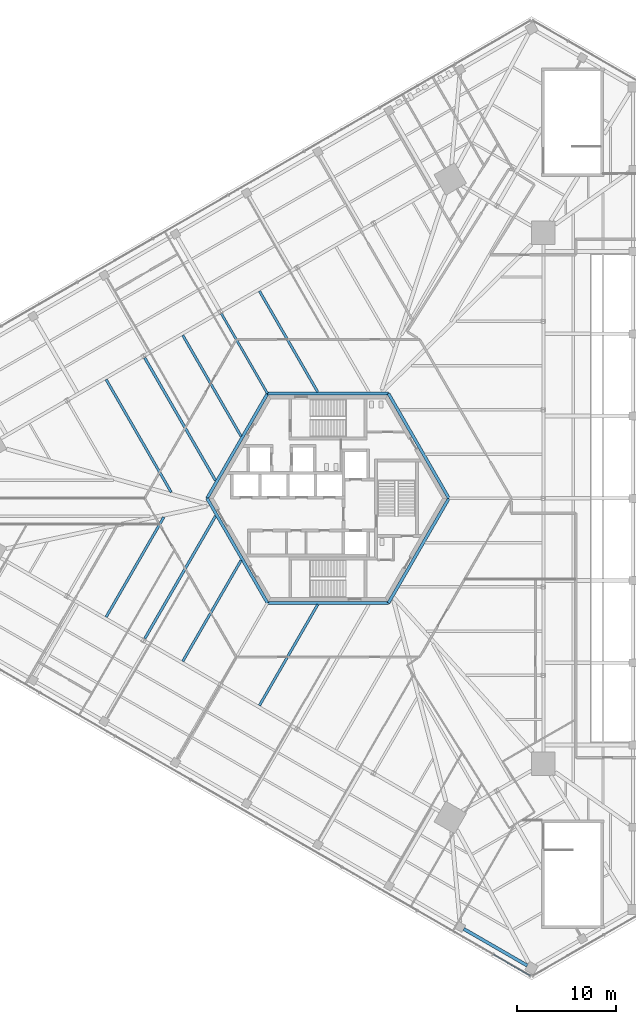
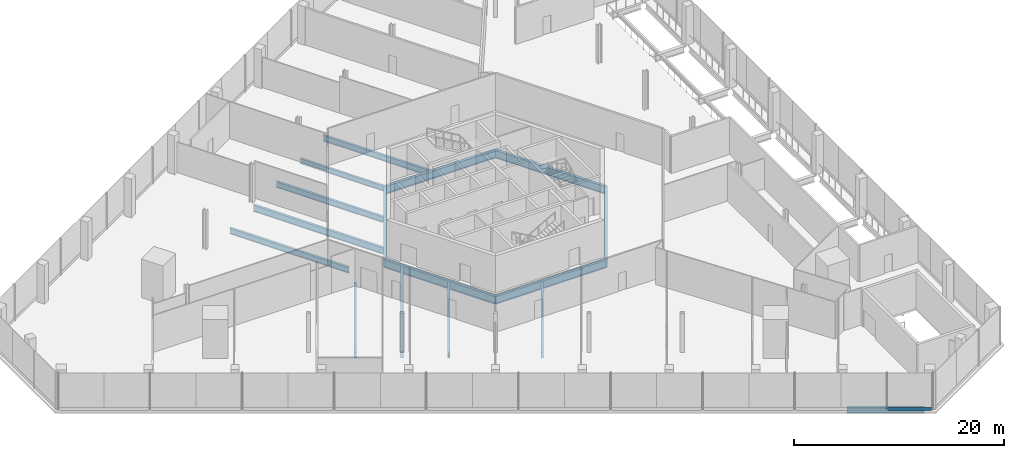
# One storey, part 9 of 25: 16 beams, 1 member, 1 element without a shape of its own.
"""IFC4 building model written with IfcOpenShell, lengths in metres."""

from ifc_helpers import new_model, si_unit, direction, frame, origin, origin_2d, place, context, subcontext, project, spatial, rectangle, i_section, extrude, source, transform, mapped, material, material_profile, profile_set, type_object, element, aggregate, save


model = new_model("IFC4")

# Units and contexts
model_context = context("Model", 3, precision=1e-05, world=origin(), true_north=direction((0.0, 1.0)))
body_context = subcontext(model_context, "Body", "Model", "MODEL_VIEW")
ifc_project = project(units=[si_unit("LENGTHUNIT", "METRE"), si_unit("AREAUNIT", "SQUARE_METRE"), si_unit("VOLUMEUNIT", "CUBIC_METRE"), si_unit("PLANEANGLEUNIT", "RADIAN"), si_unit("MASSUNIT", "GRAM", prefix="KILO")], contexts=[model_context])

# Site, building, storey
site_placement = place(None, origin())
site = spatial("IfcSite", under=ifc_project, at=site_placement, CompositionType="ELEMENT")
building_placement = place(site_placement, origin())
building = spatial("IfcBuilding", under=site, at=building_placement, Name="Triune Harvest Tower", CompositionType="ELEMENT")
storey_placement = place(building_placement, frame((0.0, 0.0, 11.5)))
storey = spatial("IfcBuildingStorey", under=building, at=storey_placement, Name="L02", CompositionType="ELEMENT", Elevation=11.5)

# Beams
ifc_material_1 = material(Name="Steel ASTM A992 Gr 50", Category="steel")
ifc_material_profile_1 = material_profile(ifc_material_1, i_section(OverallWidth=0.3046875, OverallDepth=0.914306640625, WebThickness=0.0166015625, FlangeThickness=0.02587890625, at=origin_2d()), Name="W36x160")
ifc_profile_set_1 = profile_set([ifc_material_profile_1], Name="Steel ASTM A992 Gr 50")
beam_type_1 = type_object("IfcBeamType", Name="CG-1 Core ring girder W36x160", PredefinedType="BEAM", material=ifc_profile_set_1)
shared_shape_1 = source(origin(), body_context, "Body", "SweptSolid", [
    extrude(i_section(OverallWidth=0.3046875, OverallDepth=0.914306640625, WebThickness=0.0166015625, FlangeThickness=0.02587890625, at=origin_2d()), origin(), (0.0, 0.0, 1.0), 12.176025390625),
])
for number, where, z_axis, x_axis, name in (
    (1, (12.176025390625, 0.0, -0.6572265625), (-0.5000099932, 0.866019634131, 0.0), (-0.866019634131, -0.5000099932, 0.0), "beam/L02/CG1"),
    (2, (-6.087890625, 10.544677734375, -0.6572265625), (-0.5000099932, -0.866019634131, 0.0), (0.866019634131, -0.5000099932, 0.0), "beam/L02/CG3"),
    (3, (-12.176025390625, 0.0, -0.6572265625), (0.5000099932, -0.866019634131, 0.0), (0.866019634131, 0.5000099932, 0.0), "beam/L02/CG4"),
    (4, (6.087890625, -10.544677734375, -0.6572265625), (0.5000099932, 0.866019634131, 0.0), (-0.866019634131, 0.5000099932, 0.0), "beam/L02/CG6"),
):
    element("IfcBeam", number, at=place(storey_placement, frame(where, z_axis=z_axis, x_axis=x_axis)), inside=storey, type_object=beam_type_1, Name=name, PredefinedType="BEAM", context=body_context, shape_type="MappedRepresentation", body=[
        mapped(shared_shape_1, transform((0.0, 0.0, 0.0), scale=1.0)),
    ])
shared_shape_2 = source(origin(), body_context, "Body", "SweptSolid", [
    extrude(i_section(OverallWidth=0.3046875, OverallDepth=0.914306640625, WebThickness=0.0166015625, FlangeThickness=0.02587890625, at=origin_2d()), origin(), (0.0, 0.0, 1.0), 12.17578125),
])
for number, where, z_axis, x_axis, name in (
    (5, (6.087890625, 10.544677734375, -0.6572265625), (-1.0, 0.0, 0.0), (0.0, -1.0, 0.0), "beam/L02/CG2"),
    (6, (-6.087890625, -10.544677734375, -0.6572265625), (1.0, 0.0, 0.0), (0.0, 1.0, 0.0), "beam/L02/CG5"),
):
    element("IfcBeam", number, at=place(storey_placement, frame(where, z_axis=z_axis, x_axis=x_axis)), inside=storey, type_object=beam_type_1, Name=name, PredefinedType="BEAM", context=body_context, shape_type="MappedRepresentation", body=[
        mapped(shared_shape_2, transform((0.0, 0.0, 0.0), scale=1.0)),
    ])
ifc_material_2 = material(Name="Steel ASTM A992 Gr 50", Category="steel")
ifc_material_profile_2 = material_profile(ifc_material_2, i_section(OverallWidth=0.2666015625, OverallDepth=0.7568359375, WebThickness=0.013916015625, FlangeThickness=0.019287109375, at=origin_2d()), Name="W30x108")
ifc_profile_set_2 = profile_set([ifc_material_profile_2], Name="Steel ASTM A992 Gr 50")
beam_type_2 = type_object("IfcBeamType", Name="JT-5 Floor joist W30x108", PredefinedType="JOIST", material=ifc_profile_set_2)
shared_shape_3 = source(origin(), body_context, "Body", "SweptSolid", [
    extrude(i_section(OverallWidth=0.2666015625, OverallDepth=0.7568359375, WebThickness=0.013916015625, FlangeThickness=0.019287109375, at=origin_2d()), origin(), (0.0, 0.0, 1.0), 14.2685546875),
])
for number, where, z_axis, x_axis, name in (
    (7, (-18.454345703125, 14.14404296875, -0.57861328125), (0.499987083308, -0.866032861112, 0.0), (0.866032861112, 0.499987083308, 0.0), "beam/L02/JT21"),
    (8, (-18.454345703125, -14.14404296875, -0.57861328125), (0.499987083308, 0.866032861112, 0.0), (-0.866032861112, 0.499987083308, 0.0), "beam/L02/JT30"),
):
    element("IfcBeam", number, at=place(storey_placement, frame(where, z_axis=z_axis, x_axis=x_axis)), inside=storey, type_object=beam_type_2, Name=name, PredefinedType="JOIST", context=body_context, shape_type="MappedRepresentation", body=[
        mapped(shared_shape_3, transform((0.0, 0.0, 0.0), scale=1.0)),
    ])
ifc_material_3 = material(Name="Steel ASTM A992 Gr 50", Category="steel")
ifc_material_profile_3 = material_profile(ifc_material_3, i_section(OverallWidth=0.253662109375, OverallDepth=0.683349609375, WebThickness=0.012451171875, FlangeThickness=0.01904296875, at=origin_2d()), Name="W27x94")
ifc_profile_set_3 = profile_set([ifc_material_profile_3], Name="Steel ASTM A992 Gr 50")
beam_type_3 = type_object("IfcBeamType", Name="JT-4 Floor joist W27x94", PredefinedType="JOIST", material=ifc_profile_set_3)
shared_shape_4 = source(origin(), body_context, "Body", "SweptSolid", [
    extrude(i_section(OverallWidth=0.253662109375, OverallDepth=0.683349609375, WebThickness=0.012451171875, FlangeThickness=0.01904296875, at=origin_2d()), origin(), (0.0, 0.0, 1.0), 11.744873046875),
])
for number, where, z_axis, x_axis, name in (
    (9, (-6.904052734375, 20.868408203125, -0.54150390625), (0.499991161602, -0.866030506576, 0.0), (0.866030506576, 0.499991161602, 0.0), "beam/L02/JT18"),
    (10, (-6.904052734375, -20.868408203125, -0.54150390625), (0.499991161602, 0.866030506576, 0.0), (-0.866030506576, 0.499991161602, 0.0), "beam/L02/JT33"),
):
    element("IfcBeam", number, at=place(storey_placement, frame(where, z_axis=z_axis, x_axis=x_axis)), inside=storey, type_object=beam_type_3, Name=name, PredefinedType="JOIST", context=body_context, shape_type="MappedRepresentation", body=[
        mapped(shared_shape_4, transform((0.0, 0.0, 0.0), scale=1.0)),
    ])
shared_shape_5 = source(origin(), body_context, "Body", "SweptSolid", [
    extrude(i_section(OverallWidth=0.253662109375, OverallDepth=0.683349609375, WebThickness=0.012451171875, FlangeThickness=0.01904296875, at=origin_2d()), origin(), (0.0, 0.0, 1.0), 11.616455078125),
])
beam_1_placement = place(storey_placement, frame((-22.336669921875, -11.958251953125, -0.54150390625), z_axis=(0.500011109571, 0.866018989576, 0.0), x_axis=(-0.866018989576, 0.500011109571, 0.0)))
element("IfcBeam", 11, at=beam_1_placement, inside=storey, type_object=beam_type_3, Name="beam/L02/JT29", PredefinedType="JOIST", context=body_context, shape_type="MappedRepresentation", body=[
    mapped(shared_shape_5, transform((0.0, 0.0, 0.0), scale=1.0)),
])
ifc_material_4 = material(Name="Steel ASTM A992 Gr 50", Category="steel")
ifc_material_profile_4 = material_profile(ifc_material_4, i_section(OverallWidth=0.22900390625, OverallDepth=0.612060546875, WebThickness=0.011962890625, FlangeThickness=0.01953125, at=origin_2d()), Name="W24x84")
ifc_profile_set_4 = profile_set([ifc_material_profile_4], Name="Steel ASTM A992 Gr 50")
beam_type_4 = type_object("IfcBeamType", Name="JT-3 Floor joist W24x84", PredefinedType="JOIST", material=ifc_profile_set_4)
shared_shape_6 = source(origin(), body_context, "Body", "SweptSolid", [
    extrude(i_section(OverallWidth=0.22900390625, OverallDepth=0.612060546875, WebThickness=0.011962890625, FlangeThickness=0.01953125, at=origin_2d()), origin(), (0.0, 0.0, 1.0), 9.300537109375),
])
beam_2_placement = place(storey_placement, frame((-10.738037109375, 18.59912109375, -0.506103515625), z_axis=(0.49999285859, -0.86602952684, 0.0), x_axis=(0.86602952684, 0.49999285859, 0.0)))
element("IfcBeam", 12, at=beam_2_placement, inside=storey, type_object=beam_type_4, Name="beam/L02/JT19", PredefinedType="JOIST", context=body_context, shape_type="MappedRepresentation", body=[
    mapped(shared_shape_6, transform((0.0, 0.0, 0.0), scale=1.0)),
])
shared_shape_7 = source(origin(), body_context, "Body", "SweptSolid", [
    extrude(i_section(OverallWidth=0.253662109375, OverallDepth=0.683349609375, WebThickness=0.012451171875, FlangeThickness=0.01904296875, at=origin_2d()), origin(), (0.0, 0.0, 1.0), 11.74462890625),
])
for number, where, z_axis, x_axis, name in (
    (13, (-14.620361328125, 16.413330078125, -0.54150390625), (0.500000162692, -0.866025309854, 0.0), (0.866025309854, 0.500000162692, 0.0), "beam/L02/JT20"),
    (14, (-14.620361328125, -16.413330078125, -0.54150390625), (0.500000162692, 0.866025309854, 0.0), (-0.866025309854, 0.500000162692, 0.0), "beam/L02/JT31"),
):
    element("IfcBeam", number, at=place(storey_placement, frame(where, z_axis=z_axis, x_axis=x_axis)), inside=storey, type_object=beam_type_3, Name=name, PredefinedType="JOIST", context=body_context, shape_type="MappedRepresentation", body=[
        mapped(shared_shape_7, transform((0.0, 0.0, 0.0), scale=1.0)),
    ])
shared_shape_8 = source(origin(), body_context, "Body", "SweptSolid", [
    extrude(i_section(OverallWidth=0.253662109375, OverallDepth=0.683349609375, WebThickness=0.012451171875, FlangeThickness=0.01904296875, at=origin_2d()), origin(), (0.0, 0.0, 1.0), 13.107421875),
])
beam_3_placement = place(storey_placement, frame((-22.336669921875, 11.958251953125, -0.54150390625), z_axis=(0.500001386263, -0.866024603424, 0.0), x_axis=(0.866024603424, 0.500001386263, 0.0)))
element("IfcBeam", 15, at=beam_3_placement, inside=storey, type_object=beam_type_3, Name="beam/L02/JT22", PredefinedType="JOIST", context=body_context, shape_type="MappedRepresentation", body=[
    mapped(shared_shape_8, transform((0.0, 0.0, 0.0), scale=1.0)),
])
ifc_material_5 = material(Name="Steel ASTM A992 Gr 50", Category="steel")
ifc_material_profile_5 = material_profile(ifc_material_5, i_section(OverallWidth=0.32763671875, OverallDepth=0.62744140625, WebThickness=0.0166015625, FlangeThickness=0.027587890625, at=origin_2d()), Name="W24x146")
ifc_profile_set_5 = profile_set([ifc_material_profile_5], Name="Steel ASTM A992 Gr 50")
beam_type_5 = type_object("IfcBeamType", Name="PD-4 Podium edge beam W24x146", PredefinedType="BEAM", material=ifc_profile_set_5)
shared_shape_9 = source(origin(), body_context, "Body", "SweptSolid", [
    extrude(i_section(OverallWidth=0.32763671875, OverallDepth=0.62744140625, WebThickness=0.0166015625, FlangeThickness=0.027587890625, at=origin_2d()), origin(), (0.0, 0.0, 1.0), 7.380126953125),
])
beam_4_placement = place(storey_placement, frame((13.671630859375, -43.360107421875, -0.513671875), z_axis=(0.866031888401, -0.499988768146, 0.0), x_axis=(0.499988768146, 0.866031888401, 0.0)))
element("IfcBeam", 16, at=beam_4_placement, inside=storey, type_object=beam_type_5, Name="beam/L02/PE35", PredefinedType="BEAM", context=body_context, shape_type="MappedRepresentation", body=[
    mapped(shared_shape_9, transform((0.0, 0.0, 0.0), scale=1.0)),
])

# Curtain wall, member
ifc_material_6 = material(Name="Aluminium bronze anodised", Category="aluminium")
curtain_wall_type = type_object("IfcCurtainWallType", Name="CW-2 Podium shopfront wall", PredefinedType="NOTDEFINED", material=ifc_material_6)
curtain_wall_placement = place(storey_placement, origin())
curtain_wall = element("IfcCurtainWall", 17, at=curtain_wall_placement, inside=storey, type_object=curtain_wall_type, Name="CW-2 PD-F5 L02 run 1")
ifc_material_7 = material(Name="Aluminium bronze anodised", Category="aluminium")
ifc_material_profile_6 = material_profile(ifc_material_7, rectangle(XDim=0.10009765625, YDim=0.300048828125, at=origin_2d()), Name="TR-2 transom 100 x 300")
ifc_profile_set_6 = profile_set([ifc_material_profile_6], Name="Aluminium bronze anodised")
member_type = type_object("IfcMemberType", Name="TR-2 transom 100 x 300", PredefinedType="USERDEFINED", material=ifc_profile_set_6)
shared_shape_10 = source(origin(), body_context, "Body", "SweptSolid", [
    extrude(rectangle(XDim=0.10009765625, YDim=0.300048828125, at=origin_2d()), origin(), (0.0, 0.0, 1.0), 4.258544921875),
])
member_placement = place(storey_placement, frame((16.652099609375, -45.934326171875, 0.14990234375), z_axis=(0.866011828767, -0.500023511883, 0.0), x_axis=(0.500023511883, 0.866011828767, 0.0)))
member = element("IfcMember", 18, at=member_placement, type_object=member_type, Name="CW-2 transom PD-F5 1.10", ObjectType="TRANSOM", PredefinedType="USERDEFINED", context=body_context, shape_type="MappedRepresentation", body=[
    mapped(shared_shape_10, transform((0.0, 0.0, 0.0), scale=1.0)),
])
aggregate(curtain_wall, [member])

save(model, "model.ifc")
